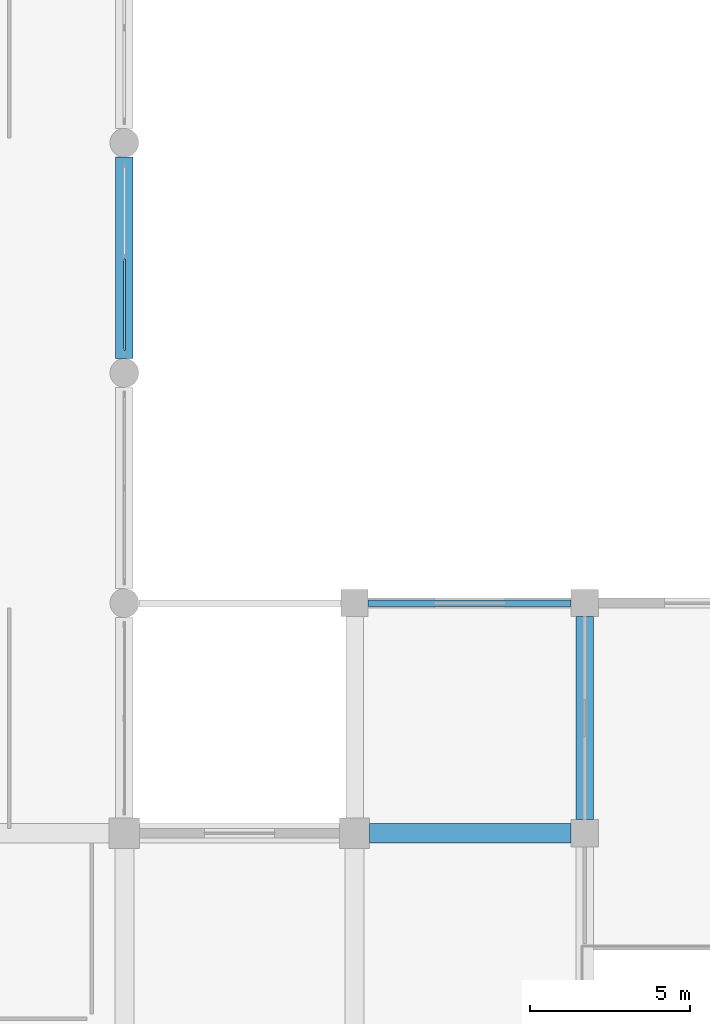
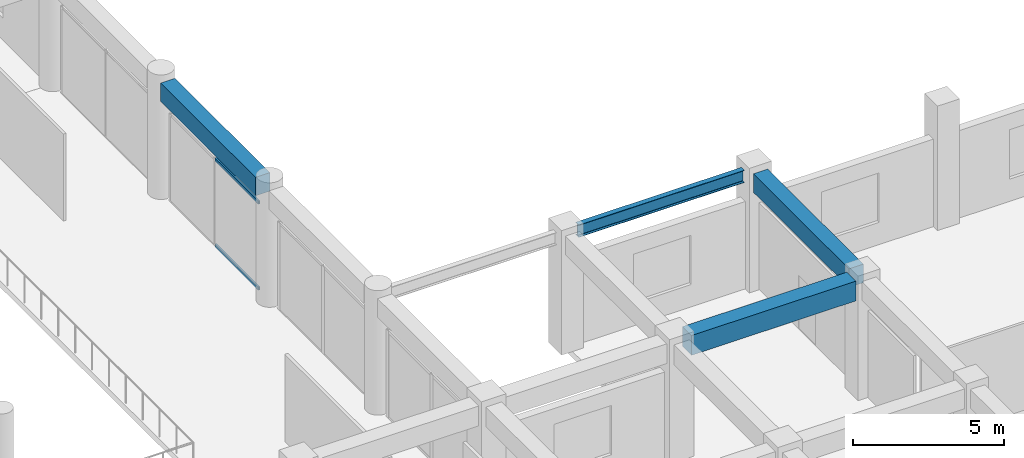
# One storey, part 22 of 54: 4 beams, 2 members, 1 element without a shape of its own.
"""IFC4 building model written with IfcOpenShell, lengths in metres."""

from ifc_helpers import new_model, si_unit, direction, frame, origin, origin_2d, place, context, subcontext, project, spatial, rectangle, hollow_rectangle, i_section, extrude, material, material_profile, profile_set, type_object, element, aggregate, save


model = new_model("IFC4")

# Units and contexts
model_context = context("Model", 3, precision=1e-05, world=origin(), true_north=direction((0.0, 1.0)))
body_context = subcontext(model_context, "Body", "Model", "MODEL_VIEW")
ifc_project = project(units=[si_unit("LENGTHUNIT", "METRE"), si_unit("AREAUNIT", "SQUARE_METRE"), si_unit("VOLUMEUNIT", "CUBIC_METRE"), si_unit("PLANEANGLEUNIT", "RADIAN"), si_unit("MASSUNIT", "GRAM", prefix="KILO")], contexts=[model_context])

# Site, building, storey
site_placement = place(None, origin())
site = spatial("IfcSite", under=ifc_project, at=site_placement, CompositionType="ELEMENT")
building_placement = place(site_placement, origin())
building = spatial("IfcBuilding", under=site, at=building_placement, Name="Kazehaya Institute of Natural Sciences", CompositionType="ELEMENT")
storey_placement = place(building_placement, frame((0.0, 0.0, 5.39990234375)))
storey = spatial("IfcBuildingStorey", under=building, at=storey_placement, Name="L01", CompositionType="ELEMENT", Elevation=5.39990234375)

# Beams
ifc_material_1 = material(Name="Concrete Fc36", Category="concrete")
ifc_material_profile_1 = material_profile(ifc_material_1, rectangle(XDim=0.550048828125, YDim=0.75, at=origin_2d()), Name="RC-550x750")
ifc_profile_set_1 = profile_set([ifc_material_profile_1], Name="Concrete Fc36")
beam_type_1 = type_object("IfcBeamType", Name="BM-G-550x750", PredefinedType="BEAM", material=ifc_profile_set_1)
beam_1_placement = place(storey_placement, frame((112.199951171875, 50.449951171875, 4.39501953125), z_axis=(0.0, 1.0, 0.0), x_axis=(-1.0, 0.0, 0.0)))
element("IfcBeam", 1, at=beam_1_placement, inside=storey, type_object=beam_type_1, Name="L01 primary Y girder BMY-L01-1122-500", PredefinedType="BEAM", context=body_context, shape_type="SweptSolid", body=[
    extrude(rectangle(XDim=0.550048828125, YDim=0.75, at=origin_2d()), origin(), (0.0, 0.0, 1.0), 6.300048828125),
])
beam_2_placement = place(storey_placement, frame((126.60009765625, 36.02490234375, 4.39501953125), z_axis=(0.0, 1.0, 0.0), x_axis=(-1.0, 0.0, 0.0)))
element("IfcBeam", 2, at=beam_2_placement, inside=storey, type_object=beam_type_1, Name="L01 primary Y girder BMY-L01-1266-356", PredefinedType="BEAM", context=body_context, shape_type="SweptSolid", body=[
    extrude(rectangle(XDim=0.550048828125, YDim=0.75, at=origin_2d()), origin(), (0.0, 0.0, 1.0), 6.35009765625),
])
ifc_material_profile_2 = material_profile(ifc_material_1, rectangle(XDim=0.60009765625, YDim=0.800048828125, at=origin_2d()), Name="RC-600x800")
ifc_profile_set_2 = profile_set([ifc_material_profile_2], Name="Concrete Fc36")
beam_type_2 = type_object("IfcBeamType", Name="BM-G-600x800", PredefinedType="BEAM", material=ifc_profile_set_2)
beam_3_placement = place(storey_placement, frame((119.875, 35.60009765625, 4.3701171875), z_axis=(1.0, 0.0, 0.0), x_axis=(0.0, 1.0, 0.0)))
element("IfcBeam", 3, at=beam_3_placement, inside=storey, type_object=beam_type_2, Name="L01 primary X girder BMX-L01-1194-356", PredefinedType="BEAM", context=body_context, shape_type="SweptSolid", body=[
    extrude(rectangle(XDim=0.60009765625, YDim=0.800048828125, at=origin_2d()), origin(), (0.0, 0.0, 1.0), 6.300048828125),
])
ifc_material_2 = material(Name="Structural steel SN490B", Category="steel")
ifc_material_profile_3 = material_profile(ifc_material_2, i_section(OverallWidth=0.199951171875, OverallDepth=0.5, WebThickness=0.010009765625, FlangeThickness=0.01611328125, FilletRadius=0.01611328125, at=origin_2d()), Name="H-500x200x10x16")
ifc_profile_set_3 = profile_set([ifc_material_profile_3], Name="Structural steel SN490B")
beam_type_3 = type_object("IfcBeamType", Name="BM-STL-H500", PredefinedType="BEAM", material=ifc_profile_set_3)
beam_4_placement = place(storey_placement, frame((119.824951171875, 42.800048828125, 4.52001953125), z_axis=(1.0, 0.0, 0.0), x_axis=(0.0, 1.0, 0.0)))
element("IfcBeam", 4, at=beam_4_placement, inside=storey, type_object=beam_type_3, Name="L01 primary X girder BMX-L01-1194-428", PredefinedType="BEAM", context=body_context, shape_type="SweptSolid", body=[
    extrude(i_section(OverallWidth=0.199951171875, OverallDepth=0.5, WebThickness=0.010009765625, FlangeThickness=0.01611328125, FilletRadius=0.01611328125, at=origin_2d()), origin(), (0.0, 0.0, 1.0), 6.35009765625),
])

# Curtain wall, members
ifc_material_3 = material(Name="Aluminium alloy A6063S-T5", Category="aluminium")
curtain_wall_type = type_object("IfcCurtainWallType", Name="CW-SYS-02", PredefinedType="NOTDEFINED", material=ifc_material_3)
curtain_wall_placement = place(storey_placement, origin())
curtain_wall = element("IfcCurtainWall", 5, at=curtain_wall_placement, inside=storey, type_object=curtain_wall_type, Name="L01 unitised curtain wall CW-L01-020", PredefinedType="NOTDEFINED")
ifc_material_profile_4 = material_profile(ifc_material_3, hollow_rectangle(XDim=0.06005859375, YDim=0.139892578125, WallThickness=0.00341796875, at=origin_2d()), Name="ALU-60x140x3.5")
ifc_profile_set_4 = profile_set([ifc_material_profile_4], Name="Aluminium alloy A6063S-T5")
member_type = type_object("IfcMemberType", Name="CWT-140", PredefinedType="USERDEFINED", material=ifc_profile_set_4)
member_1_placement = place(storey_placement, frame((112.199951171875, 53.570068359375, 0.030029296875), z_axis=(0.0, -1.0, 0.0), x_axis=(1.0, 0.0, 0.0)))
member_1 = element("IfcMember", 6, at=member_1_placement, type_object=member_type, Name="CW02 transom 2.1", ObjectType="TRANSOM", PredefinedType="USERDEFINED", context=body_context, shape_type="SweptSolid", body=[
    extrude(hollow_rectangle(XDim=0.06005859375, YDim=0.139892578125, WallThickness=0.00341796875, at=origin_2d()), origin(), (0.0, 0.0, 1.0), 2.8701171875),
])
member_2_placement = place(storey_placement, frame((112.199951171875, 53.570068359375, 3.510009765625), z_axis=(0.0, -1.0, 0.0), x_axis=(1.0, 0.0, 0.0)))
member_2 = element("IfcMember", 7, at=member_2_placement, type_object=member_type, Name="CW02 transom 2.2", ObjectType="TRANSOM", PredefinedType="USERDEFINED", context=body_context, shape_type="SweptSolid", body=[
    extrude(hollow_rectangle(XDim=0.06005859375, YDim=0.139892578125, WallThickness=0.00341796875, at=origin_2d()), origin(), (0.0, 0.0, 1.0), 2.8701171875),
])
aggregate(curtain_wall, [member_1, member_2])

save(model, "model.ifc")
